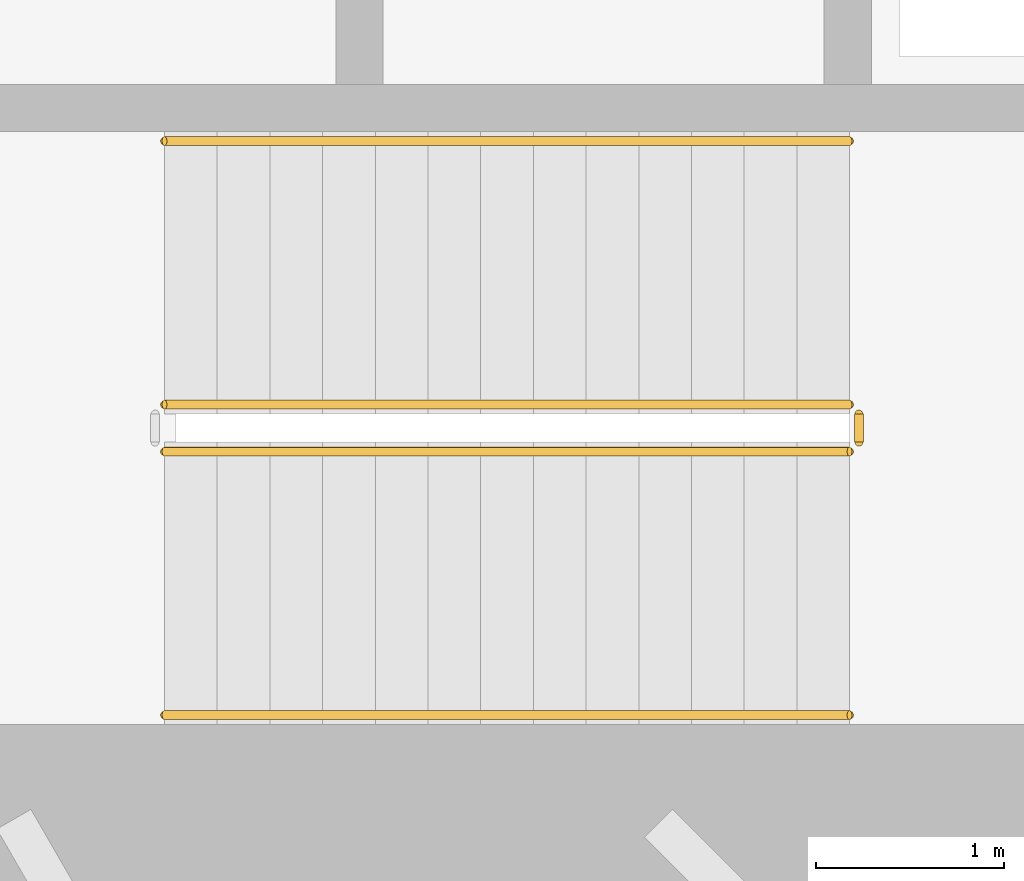
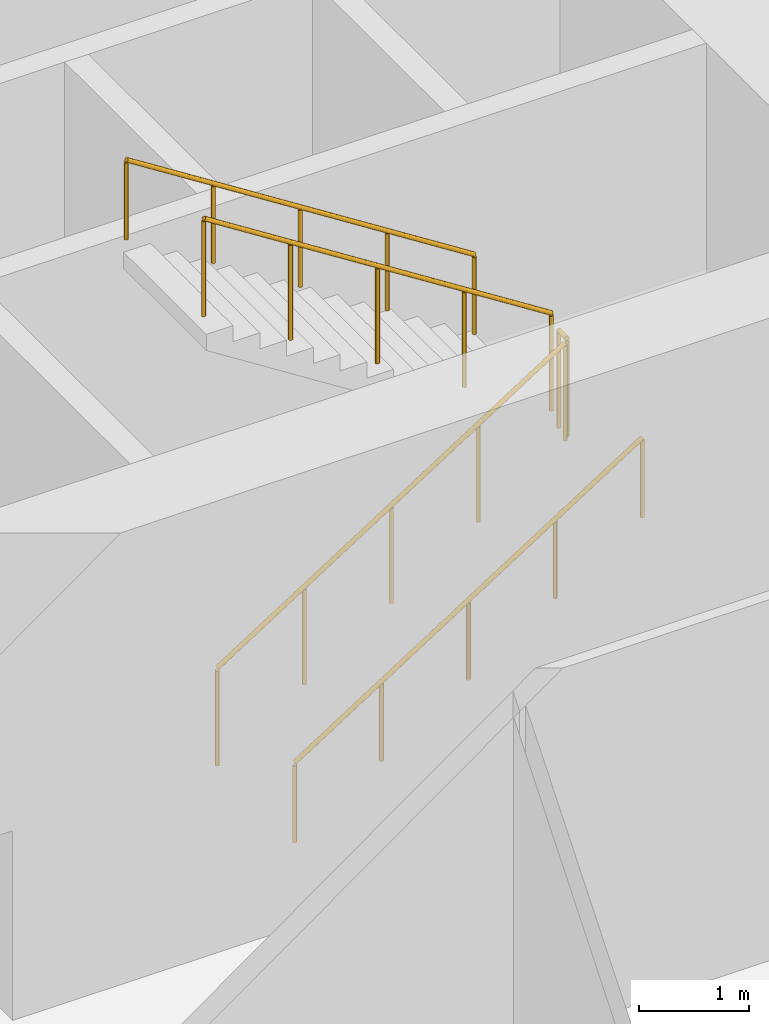
# One storey, part 49 of 51: 5 railings.
"""IFC4 building model written with IfcOpenShell, lengths in metres."""

from ifc_helpers import new_model, si_unit, direction, frame, origin, origin_2d, place, context, subcontext, project, spatial, circle, extrude, material, type_object, element, save


model = new_model("IFC4")

# Units and contexts
model_context = context("Model", 3, precision=1e-05, world=origin(), true_north=direction((0.0, 1.0)))
body_context = subcontext(model_context, "Body", "Model", "MODEL_VIEW")
ifc_project = project(units=[si_unit("LENGTHUNIT", "METRE"), si_unit("AREAUNIT", "SQUARE_METRE"), si_unit("VOLUMEUNIT", "CUBIC_METRE"), si_unit("PLANEANGLEUNIT", "RADIAN"), si_unit("MASSUNIT", "GRAM", prefix="KILO")], contexts=[model_context])

# Site, building, storey
site_placement = place(None, origin())
site = spatial("IfcSite", under=ifc_project, at=site_placement, CompositionType="ELEMENT")
building_placement = place(site_placement, origin())
building = spatial("IfcBuilding", under=site, at=building_placement, Name="Rimbun Link Towers", CompositionType="ELEMENT")
storey_placement = place(building_placement, frame((0.0, 0.0, 7.0)))
storey = spatial("IfcBuildingStorey", under=building, at=storey_placement, Name="L01", CompositionType="ELEMENT", Elevation=7.0)

# Railings
ifc_material_1 = material(Name="Stainless steel grade 316", Category="steel")
railing_type_1 = type_object("IfcRailingType", Name="Stair guard", PredefinedType="GUARDRAIL", material=ifc_material_1)
railing_1_placement = place(storey_placement, frame((37.199951171875, -6.10009765625, 0.178466796875)))
element("IfcRailing", 1, at=railing_1_placement, inside=storey, type_object=railing_type_1, Name="L01 ST4 stair guard 1", PredefinedType="GUARDRAIL", context=body_context, shape_type="SweptSolid", body=[
    extrude(circle(Radius=0.02392578125, at=origin_2d()), frame((0.0, 0.0, 1.076171875), z_axis=(0.843127859045, 0.0, 0.537713132908), x_axis=(0.0, 1.0, 0.0)), (0.0, 0.0, 1.0), 4.3173828125),
    extrude(circle(Radius=0.02099609375, at=origin_2d()), origin(), (0.0, 0.0, 1.0), 1.052001953125),
    extrude(circle(Radius=0.02099609375, at=origin_2d()), frame((0.91015625, 0.0, 0.580322265625)), (0.0, 0.0, 1.0), 1.052001953125),
    extrude(circle(Radius=0.02099609375, at=origin_2d()), frame((1.820068359375, 0.0, 1.16064453125)), (0.0, 0.0, 1.0), 1.052001953125),
    extrude(circle(Radius=0.02099609375, at=origin_2d()), frame((2.72998046875, 0.0, 1.7412109375)), (0.0, 0.0, 1.0), 1.052001953125),
    extrude(circle(Radius=0.02099609375, at=origin_2d()), frame((3.64013671875, 0.0, 2.321533203125)), (0.0, 0.0, 1.0), 1.052001953125),
])
railing_2_placement = place(storey_placement, frame((40.889892578125, -6.050048828125, 2.5)))
element("IfcRailing", 2, at=railing_2_placement, inside=storey, type_object=railing_type_1, Name="L01 ST4 stair guard 2", PredefinedType="GUARDRAIL", context=body_context, shape_type="SweptSolid", body=[
    extrude(circle(Radius=0.02392578125, at=origin_2d()), frame((0.0, 0.0, 1.076171875), z_axis=(0.0, 1.0, 0.0), x_axis=(-1.0, 0.0, 0.0)), (0.0, 0.0, 1.0), 0.150146484375),
    extrude(circle(Radius=0.02099609375, at=origin_2d()), origin(), (0.0, 0.0, 1.0), 1.052001953125),
    extrude(circle(Radius=0.02099609375, at=origin_2d()), frame((0.0, 0.150146484375, 0.0)), (0.0, 0.0, 1.0), 1.052001953125),
])
railing_3_placement = place(storey_placement, frame((40.840087890625, -5.85009765625, 2.678466796875)))
element("IfcRailing", 3, at=railing_3_placement, inside=storey, type_object=railing_type_1, Name="L01 ST4 stair guard 3", PredefinedType="GUARDRAIL", context=body_context, shape_type="SweptSolid", body=[
    extrude(circle(Radius=0.02392578125, at=origin_2d()), frame((0.0, 0.0, 1.076171875), z_axis=(-0.843127859045, 0.0, 0.537713132908), x_axis=(0.0, -1.0, 0.0)), (0.0, 0.0, 1.0), 4.3173828125),
    extrude(circle(Radius=0.02099609375, at=origin_2d()), origin(), (0.0, 0.0, 1.0), 1.052001953125),
    extrude(circle(Radius=0.02099609375, at=origin_2d()), frame((-0.91015625, 0.0, 0.580322265625)), (0.0, 0.0, 1.0), 1.052001953125),
    extrude(circle(Radius=0.02099609375, at=origin_2d()), frame((-1.820068359375, 0.0, 1.16064453125)), (0.0, 0.0, 1.0), 1.052001953125),
    extrude(circle(Radius=0.02099609375, at=origin_2d()), frame((-2.72998046875, 0.0, 1.7412109375)), (0.0, 0.0, 1.0), 1.052001953125),
    extrude(circle(Radius=0.02099609375, at=origin_2d()), frame((-3.64013671875, 0.0, 2.321533203125)), (0.0, 0.0, 1.0), 1.052001953125),
])
ifc_material_2 = material(Name="Stainless steel grade 316", Category="steel")
railing_type_2 = type_object("IfcRailingType", Name="Stair handrail", PredefinedType="HANDRAIL", material=ifc_material_2)
railing_4_placement = place(storey_placement, frame((37.199951171875, -7.5, 0.178466796875)))
element("IfcRailing", 4, at=railing_4_placement, inside=storey, type_object=railing_type_2, Name="L01 ST4 stair handrail 1", PredefinedType="HANDRAIL", context=body_context, shape_type="SweptSolid", body=[
    extrude(circle(Radius=0.02392578125, at=origin_2d()), frame((0.0, 0.0, 0.8759765625), z_axis=(0.843127859045, 0.0, 0.537713132908), x_axis=(0.0, 1.0, 0.0)), (0.0, 0.0, 1.0), 4.3173828125),
    extrude(circle(Radius=0.02099609375, at=origin_2d()), origin(), (0.0, 0.0, 1.0), 0.851806640625),
    extrude(circle(Radius=0.02099609375, at=origin_2d()), frame((0.91015625, 0.0, 0.580322265625)), (0.0, 0.0, 1.0), 0.851806640625),
    extrude(circle(Radius=0.02099609375, at=origin_2d()), frame((1.820068359375, 0.0, 1.16064453125)), (0.0, 0.0, 1.0), 0.851806640625),
    extrude(circle(Radius=0.02099609375, at=origin_2d()), frame((2.72998046875, 0.0, 1.7412109375)), (0.0, 0.0, 1.0), 0.851806640625),
    extrude(circle(Radius=0.02099609375, at=origin_2d()), frame((3.64013671875, 0.0, 2.321533203125)), (0.0, 0.0, 1.0), 0.851806640625),
])
railing_5_placement = place(storey_placement, frame((40.840087890625, -4.449951171875, 2.678466796875)))
element("IfcRailing", 5, at=railing_5_placement, inside=storey, type_object=railing_type_2, Name="L01 ST4 stair handrail 2", PredefinedType="HANDRAIL", context=body_context, shape_type="SweptSolid", body=[
    extrude(circle(Radius=0.02392578125, at=origin_2d()), frame((0.0, 0.0, 0.8759765625), z_axis=(-0.843127859045, 0.0, 0.537713132908), x_axis=(0.0, -1.0, 0.0)), (0.0, 0.0, 1.0), 4.3173828125),
    extrude(circle(Radius=0.02099609375, at=origin_2d()), origin(), (0.0, 0.0, 1.0), 0.851806640625),
    extrude(circle(Radius=0.02099609375, at=origin_2d()), frame((-0.91015625, 0.0, 0.580322265625)), (0.0, 0.0, 1.0), 0.851806640625),
    extrude(circle(Radius=0.02099609375, at=origin_2d()), frame((-1.820068359375, 0.0, 1.16064453125)), (0.0, 0.0, 1.0), 0.851806640625),
    extrude(circle(Radius=0.02099609375, at=origin_2d()), frame((-2.72998046875, 0.0, 1.7412109375)), (0.0, 0.0, 1.0), 0.851806640625),
    extrude(circle(Radius=0.02099609375, at=origin_2d()), frame((-3.64013671875, 0.0, 2.321533203125)), (0.0, 0.0, 1.0), 0.851806640625),
])

save(model, "model.ifc")
